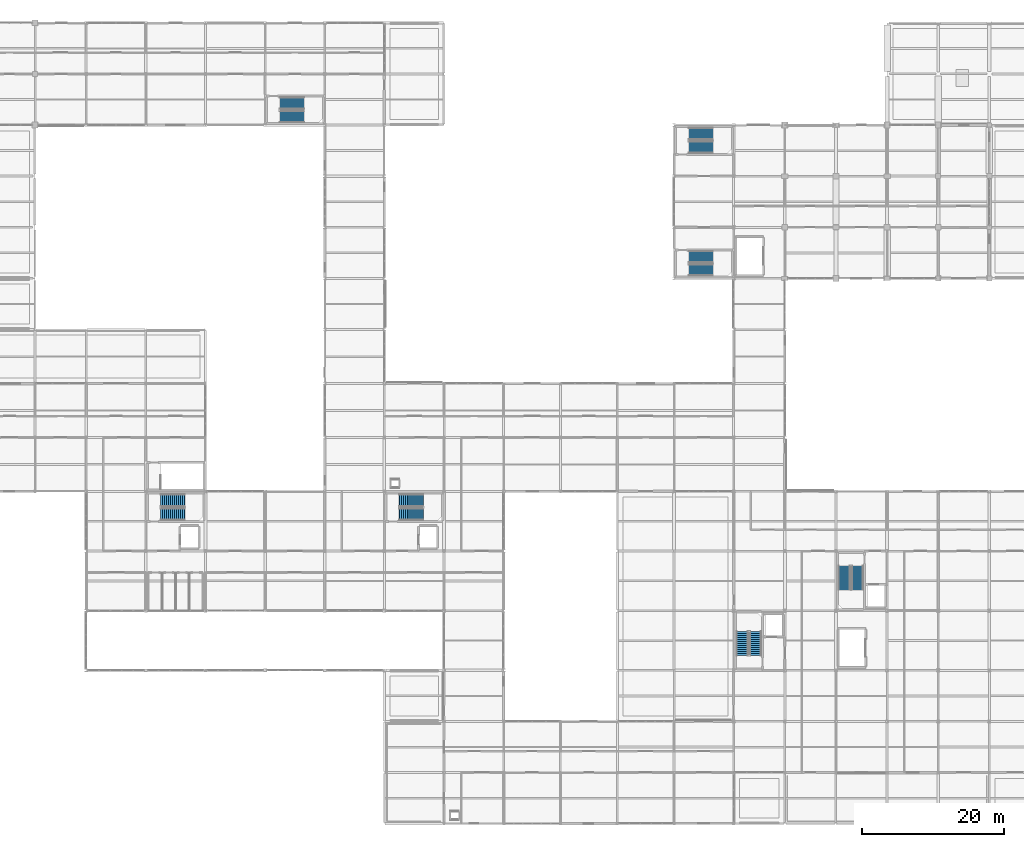
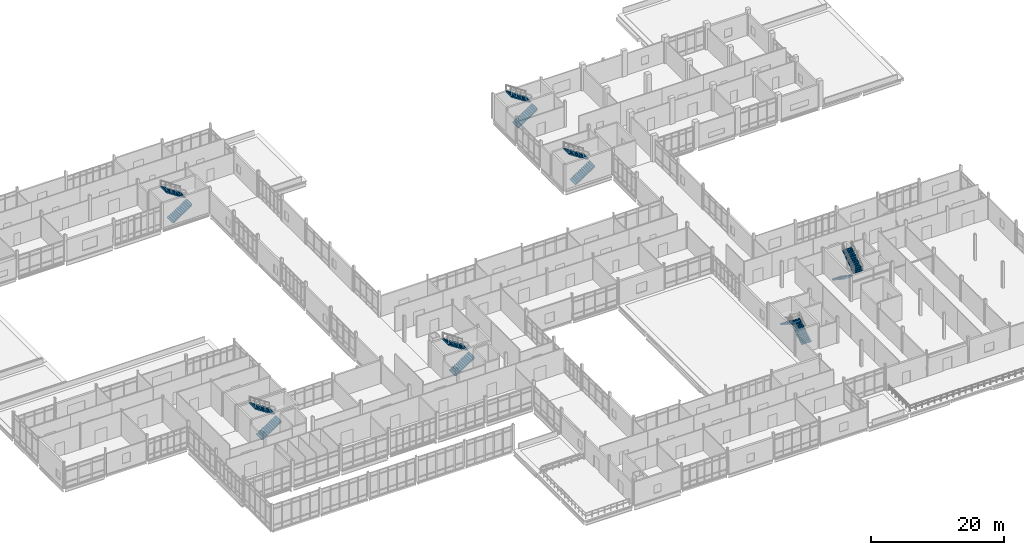
# One storey, part 169 of 186: 14 stair flights, 7 elements without a shape of their own.
"""IFC4 building model written with IfcOpenShell, lengths in metres."""

from ifc_helpers import new_model, si_unit, direction, frame, origin, place, context, subcontext, project, spatial, polyline, outline, extrude, material, type_object, element, aggregate, save


model = new_model("IFC4")

# Units and contexts
model_context = context("Model", 3, precision=1e-05, world=origin(), true_north=direction((0.0, 1.0)))
body_context = subcontext(model_context, "Body", "Model", "MODEL_VIEW")
ifc_project = project(units=[si_unit("LENGTHUNIT", "METRE"), si_unit("AREAUNIT", "SQUARE_METRE"), si_unit("VOLUMEUNIT", "CUBIC_METRE"), si_unit("PLANEANGLEUNIT", "RADIAN"), si_unit("MASSUNIT", "GRAM", prefix="KILO")], contexts=[model_context])

# Site, building, storey
site_placement = place(None, origin())
site = spatial("IfcSite", under=ifc_project, at=site_placement, CompositionType="ELEMENT")
building_placement = place(site_placement, origin())
building = spatial("IfcBuilding", under=site, at=building_placement, Name="Calvrana Isthmian Art Gallery", CompositionType="ELEMENT")
storey_placement = place(building_placement, frame((0.0, 0.0, 5.39990234375)))
storey = spatial("IfcBuildingStorey", under=building, at=storey_placement, Name="L01", CompositionType="ELEMENT", Elevation=5.39990234375)

# Stair, stair flights
ifc_material = material(Name="Concrete C40/50", Category="concrete")
stair_type_1 = type_object("IfcStairType", Name="STR-HT-480", PredefinedType="HALF_TURN_STAIR", material=ifc_material)
stair_1_placement = place(storey_placement, origin())
stair_1 = element("IfcStair", 1, at=stair_1_placement, inside=storey, type_object=stair_type_1, Name="Protected exit stair ST-3 (L01)", PredefinedType="HALF_TURN_STAIR")
stair_flight_type_1 = type_object("IfcStairFlightType", Name="STF-1660", PredefinedType="STRAIGHT", material=ifc_material)
stair_flight_1_placement = place(storey_placement, frame((115.860107421875, 23.699951171875, 0.0), z_axis=(0.0, 0.0, 1.0), x_axis=(0.0, 1.0, 0.0)))
stair_flight_1 = element("IfcStairFlight", 2, at=stair_flight_1_placement, type_object=stair_flight_type_1, Name="ST-3 flight 1", NumberOfRisers=13, NumberOfTreads=12, PredefinedType="STRAIGHT", RiserHeight=0.184615385, TreadLength=0.28, context=body_context, shape_type="SweptSolid", body=[
    extrude(outline(polyline([(-0.02490234375, 0.0), (-0.02490234375, 0.06005859375), (0.0, 0.06005859375), (0.0, 0.1845703125), (0.280029296875, 0.1845703125), (0.280029296875, 0.369140625), (0.56005859375, 0.369140625), (0.56005859375, 0.553955078125), (0.840087890625, 0.553955078125), (0.840087890625, 0.738525390625), (1.1201171875, 0.738525390625), (1.1201171875, 0.923095703125), (1.39990234375, 0.923095703125), (1.39990234375, 1.107666015625), (1.679931640625, 1.107666015625), (1.679931640625, 1.292236328125), (1.9599609375, 1.292236328125), (1.9599609375, 1.476806640625), (2.239990234375, 1.476806640625), (2.239990234375, 1.66162109375), (2.52001953125, 1.66162109375), (2.52001953125, 1.84619140625), (2.800048828125, 1.84619140625), (2.800048828125, 2.03076171875), (3.080078125, 2.03076171875), (3.080078125, 2.21533203125), (3.360107421875, 2.21533203125), (3.360107421875, 2.39990234375), (3.385009765625, 2.39990234375), (3.385009765625, 2.035888671875), (3.360107421875, 2.035888671875), (0.272216796875, 0.0), (-0.02490234375, 0.0)])), frame((0.0, 0.830078125, 0.0), z_axis=(0.0, -1.0, 0.0), x_axis=(1.0, 0.0, 0.0)), (0.0, 0.0, 1.0), 1.659912109375),
])
stair_flight_2_placement = place(storey_placement, frame((114.0, 27.06005859375, 2.400146484375), z_axis=(0.0, 0.0, 1.0), x_axis=(0.0, -1.0, 0.0)))
stair_flight_2 = element("IfcStairFlight", 3, at=stair_flight_2_placement, type_object=stair_flight_type_1, Name="ST-3 flight 2", NumberOfRisers=13, NumberOfTreads=12, PredefinedType="STRAIGHT", RiserHeight=0.184615385, TreadLength=0.28, context=body_context, shape_type="SweptSolid", body=[
    extrude(outline(polyline([(-0.02490234375, 0.0), (-0.02490234375, 0.06005859375), (0.0, 0.06005859375), (0.0, 0.1845703125), (0.280029296875, 0.1845703125), (0.280029296875, 0.369140625), (0.56005859375, 0.369140625), (0.56005859375, 0.553955078125), (0.840087890625, 0.553955078125), (0.840087890625, 0.738525390625), (1.1201171875, 0.738525390625), (1.1201171875, 0.923095703125), (1.39990234375, 0.923095703125), (1.39990234375, 1.107666015625), (1.679931640625, 1.107666015625), (1.679931640625, 1.292236328125), (1.9599609375, 1.292236328125), (1.9599609375, 1.476806640625), (2.239990234375, 1.476806640625), (2.239990234375, 1.66162109375), (2.52001953125, 1.66162109375), (2.52001953125, 1.84619140625), (2.800048828125, 1.84619140625), (2.800048828125, 2.03076171875), (3.080078125, 2.03076171875), (3.080078125, 2.21533203125), (3.360107421875, 2.21533203125), (3.360107421875, 2.39990234375), (3.385009765625, 2.39990234375), (3.385009765625, 2.035888671875), (3.360107421875, 2.035888671875), (0.272216796875, 0.0), (-0.02490234375, 0.0)])), frame((0.0, 0.830078125, 0.0), z_axis=(0.0, -1.0, 0.0), x_axis=(1.0, 0.0, 0.0)), (0.0, 0.0, 1.0), 1.659912109375),
])
aggregate(stair_1, [stair_flight_1, stair_flight_2])

stair_2_placement = place(storey_placement, origin())
stair_2 = element("IfcStair", 4, at=stair_2_placement, inside=storey, type_object=stair_type_1, Name="Protected exit stair ST-4 (L01)", PredefinedType="HALF_TURN_STAIR")
stair_flight_3_placement = place(storey_placement, frame((128.3798828125, 36.300048828125, 0.0), z_axis=(0.0, 0.0, 1.0), x_axis=(0.0, -1.0, 0.0)))
stair_flight_3 = element("IfcStairFlight", 5, at=stair_flight_3_placement, type_object=stair_flight_type_1, Name="ST-4 flight 1", NumberOfRisers=13, NumberOfTreads=12, PredefinedType="STRAIGHT", RiserHeight=0.184615385, TreadLength=0.28, context=body_context, shape_type="SweptSolid", body=[
    extrude(outline(polyline([(-0.02490234375, 0.0), (-0.02490234375, 0.06005859375), (0.0, 0.06005859375), (0.0, 0.1845703125), (0.280029296875, 0.1845703125), (0.280029296875, 0.369140625), (0.56005859375, 0.369140625), (0.56005859375, 0.553955078125), (0.840087890625, 0.553955078125), (0.840087890625, 0.738525390625), (1.1201171875, 0.738525390625), (1.1201171875, 0.923095703125), (1.39990234375, 0.923095703125), (1.39990234375, 1.107666015625), (1.679931640625, 1.107666015625), (1.679931640625, 1.292236328125), (1.9599609375, 1.292236328125), (1.9599609375, 1.476806640625), (2.239990234375, 1.476806640625), (2.239990234375, 1.66162109375), (2.52001953125, 1.66162109375), (2.52001953125, 1.84619140625), (2.800048828125, 1.84619140625), (2.800048828125, 2.03076171875), (3.080078125, 2.03076171875), (3.080078125, 2.21533203125), (3.360107421875, 2.21533203125), (3.360107421875, 2.39990234375), (3.385009765625, 2.39990234375), (3.385009765625, 2.035888671875), (3.360107421875, 2.035888671875), (0.272216796875, 0.0), (-0.02490234375, 0.0)])), frame((0.0, 0.830078125, 0.0), z_axis=(0.0, -1.0, 0.0), x_axis=(1.0, 0.0, 0.0)), (0.0, 0.0, 1.0), 1.659912109375),
])
stair_flight_4_placement = place(storey_placement, frame((130.239990234375, 32.93994140625, 2.400146484375), z_axis=(0.0, 0.0, 1.0), x_axis=(0.0, 1.0, 0.0)))
stair_flight_4 = element("IfcStairFlight", 6, at=stair_flight_4_placement, type_object=stair_flight_type_1, Name="ST-4 flight 2", NumberOfRisers=13, NumberOfTreads=12, PredefinedType="STRAIGHT", RiserHeight=0.184615385, TreadLength=0.28, context=body_context, shape_type="SweptSolid", body=[
    extrude(outline(polyline([(-0.02490234375, 0.0), (-0.02490234375, 0.06005859375), (0.0, 0.06005859375), (0.0, 0.1845703125), (0.280029296875, 0.1845703125), (0.280029296875, 0.369140625), (0.56005859375, 0.369140625), (0.56005859375, 0.553955078125), (0.840087890625, 0.553955078125), (0.840087890625, 0.738525390625), (1.1201171875, 0.738525390625), (1.1201171875, 0.923095703125), (1.39990234375, 0.923095703125), (1.39990234375, 1.107666015625), (1.679931640625, 1.107666015625), (1.679931640625, 1.292236328125), (1.9599609375, 1.292236328125), (1.9599609375, 1.476806640625), (2.239990234375, 1.476806640625), (2.239990234375, 1.66162109375), (2.52001953125, 1.66162109375), (2.52001953125, 1.84619140625), (2.800048828125, 1.84619140625), (2.800048828125, 2.03076171875), (3.080078125, 2.03076171875), (3.080078125, 2.21533203125), (3.360107421875, 2.21533203125), (3.360107421875, 2.39990234375), (3.385009765625, 2.39990234375), (3.385009765625, 2.035888671875), (3.360107421875, 2.035888671875), (0.272216796875, 0.0), (-0.02490234375, 0.0)])), frame((0.0, 0.830078125, 0.0), z_axis=(0.0, -1.0, 0.0), x_axis=(1.0, 0.0, 0.0)), (0.0, 0.0, 1.0), 1.659912109375),
])
aggregate(stair_2, [stair_flight_3, stair_flight_4])

stair_3_placement = place(storey_placement, origin())
stair_3 = element("IfcStair", 7, at=stair_3_placement, inside=storey, type_object=stair_type_1, Name="Protected exit stair ST-5 (L01)", PredefinedType="HALF_TURN_STAIR")
stair_flight_5_placement = place(storey_placement, frame((106.5, 77.97998046875, 0.0), z_axis=(0.0, 0.0, 1.0), x_axis=(1.0, 0.0, 0.0)))
stair_flight_5 = element("IfcStairFlight", 8, at=stair_flight_5_placement, type_object=stair_flight_type_1, Name="ST-5 flight 1", NumberOfRisers=13, NumberOfTreads=12, PredefinedType="STRAIGHT", RiserHeight=0.184615385, TreadLength=0.28, context=body_context, shape_type="SweptSolid", body=[
    extrude(outline(polyline([(-0.02490234375, 0.0), (-0.02490234375, 0.06005859375), (0.0, 0.06005859375), (0.0, 0.1845703125), (0.280029296875, 0.1845703125), (0.280029296875, 0.369140625), (0.56005859375, 0.369140625), (0.56005859375, 0.553955078125), (0.840087890625, 0.553955078125), (0.840087890625, 0.738525390625), (1.1201171875, 0.738525390625), (1.1201171875, 0.923095703125), (1.39990234375, 0.923095703125), (1.39990234375, 1.107666015625), (1.679931640625, 1.107666015625), (1.679931640625, 1.292236328125), (1.9599609375, 1.292236328125), (1.9599609375, 1.476806640625), (2.239990234375, 1.476806640625), (2.239990234375, 1.66162109375), (2.52001953125, 1.66162109375), (2.52001953125, 1.84619140625), (2.800048828125, 1.84619140625), (2.800048828125, 2.03076171875), (3.080078125, 2.03076171875), (3.080078125, 2.21533203125), (3.360107421875, 2.21533203125), (3.360107421875, 2.39990234375), (3.385009765625, 2.39990234375), (3.385009765625, 2.035888671875), (3.360107421875, 2.035888671875), (0.272216796875, 0.0), (-0.02490234375, 0.0)])), frame((0.0, 0.830078125, 0.0), z_axis=(0.0, -1.0, 0.0), x_axis=(1.0, 0.0, 0.0)), (0.0, 0.0, 1.0), 1.659912109375),
])
stair_flight_6_placement = place(storey_placement, frame((109.860107421875, 79.840087890625, 2.400146484375), z_axis=(0.0, 0.0, 1.0), x_axis=(-1.0, 0.0, 0.0)))
stair_flight_6 = element("IfcStairFlight", 9, at=stair_flight_6_placement, type_object=stair_flight_type_1, Name="ST-5 flight 2", NumberOfRisers=13, NumberOfTreads=12, PredefinedType="STRAIGHT", RiserHeight=0.184615385, TreadLength=0.28, context=body_context, shape_type="SweptSolid", body=[
    extrude(outline(polyline([(-0.02490234375, 0.0), (-0.02490234375, 0.06005859375), (0.0, 0.06005859375), (0.0, 0.1845703125), (0.280029296875, 0.1845703125), (0.280029296875, 0.369140625), (0.56005859375, 0.369140625), (0.56005859375, 0.553955078125), (0.840087890625, 0.553955078125), (0.840087890625, 0.738525390625), (1.1201171875, 0.738525390625), (1.1201171875, 0.923095703125), (1.39990234375, 0.923095703125), (1.39990234375, 1.107666015625), (1.679931640625, 1.107666015625), (1.679931640625, 1.292236328125), (1.9599609375, 1.292236328125), (1.9599609375, 1.476806640625), (2.239990234375, 1.476806640625), (2.239990234375, 1.66162109375), (2.52001953125, 1.66162109375), (2.52001953125, 1.84619140625), (2.800048828125, 1.84619140625), (2.800048828125, 2.03076171875), (3.080078125, 2.03076171875), (3.080078125, 2.21533203125), (3.360107421875, 2.21533203125), (3.360107421875, 2.39990234375), (3.385009765625, 2.39990234375), (3.385009765625, 2.035888671875), (3.360107421875, 2.035888671875), (0.272216796875, 0.0), (-0.02490234375, 0.0)])), frame((0.0, 0.830078125, 0.0), z_axis=(0.0, -1.0, 0.0), x_axis=(1.0, 0.0, 0.0)), (0.0, 0.0, 1.0), 1.659912109375),
])
aggregate(stair_3, [stair_flight_5, stair_flight_6])

stair_type_2 = type_object("IfcStairType", Name="STR-TSR-480", PredefinedType="TWO_STRAIGHT_RUN_STAIR", material=ifc_material)
stair_4_placement = place(storey_placement, origin())
stair_4 = element("IfcStair", 10, at=stair_4_placement, inside=storey, type_object=stair_type_2, Name="Protected exit stair ST-6 (L01)", PredefinedType="TWO_STRAIGHT_RUN_STAIR")
stair_flight_type_2 = type_object("IfcStairFlightType", Name="STF-1700", PredefinedType="STRAIGHT", material=ifc_material)
stair_flight_7_placement = place(storey_placement, frame((48.89990234375, 99.60009765625, 0.0), z_axis=(0.0, 0.0, 1.0), x_axis=(1.0, 0.0, 0.0)))
stair_flight_7 = element("IfcStairFlight", 11, at=stair_flight_7_placement, type_object=stair_flight_type_2, Name="ST-6 flight 1", NumberOfRisers=13, NumberOfTreads=12, PredefinedType="STRAIGHT", RiserHeight=0.184615385, TreadLength=0.28, context=body_context, shape_type="SweptSolid", body=[
    extrude(outline(polyline([(-0.02490234375, 0.0), (-0.02490234375, 0.06005859375), (0.0, 0.06005859375), (0.0, 0.1845703125), (0.280029296875, 0.1845703125), (0.280029296875, 0.369140625), (0.56005859375, 0.369140625), (0.56005859375, 0.553955078125), (0.840087890625, 0.553955078125), (0.840087890625, 0.738525390625), (1.1201171875, 0.738525390625), (1.1201171875, 0.923095703125), (1.39990234375, 0.923095703125), (1.39990234375, 1.107666015625), (1.679931640625, 1.107666015625), (1.679931640625, 1.292236328125), (1.9599609375, 1.292236328125), (1.9599609375, 1.476806640625), (2.239990234375, 1.476806640625), (2.239990234375, 1.66162109375), (2.52001953125, 1.66162109375), (2.52001953125, 1.84619140625), (2.800048828125, 1.84619140625), (2.800048828125, 2.03076171875), (3.080078125, 2.03076171875), (3.080078125, 2.21533203125), (3.360107421875, 2.21533203125), (3.360107421875, 2.39990234375), (3.385009765625, 2.39990234375), (3.385009765625, 2.035888671875), (3.360107421875, 2.035888671875), (0.272216796875, 0.0), (-0.02490234375, 0.0)])), frame((0.0, 0.85009765625, 0.0), z_axis=(0.0, -1.0, 0.0), x_axis=(1.0, 0.0, 0.0)), (0.0, 0.0, 1.0), 1.699951171875),
])
stair_flight_8_placement = place(storey_placement, frame((52.260009765625, 101.5, 2.400146484375), z_axis=(0.0, 0.0, 1.0), x_axis=(-1.0, 0.0, 0.0)))
stair_flight_8 = element("IfcStairFlight", 12, at=stair_flight_8_placement, type_object=stair_flight_type_2, Name="ST-6 flight 2", NumberOfRisers=13, NumberOfTreads=12, PredefinedType="STRAIGHT", RiserHeight=0.184615385, TreadLength=0.28, context=body_context, shape_type="SweptSolid", body=[
    extrude(outline(polyline([(-0.02490234375, 0.0), (-0.02490234375, 0.06005859375), (0.0, 0.06005859375), (0.0, 0.1845703125), (0.280029296875, 0.1845703125), (0.280029296875, 0.369140625), (0.56005859375, 0.369140625), (0.56005859375, 0.553955078125), (0.840087890625, 0.553955078125), (0.840087890625, 0.738525390625), (1.1201171875, 0.738525390625), (1.1201171875, 0.923095703125), (1.39990234375, 0.923095703125), (1.39990234375, 1.107666015625), (1.679931640625, 1.107666015625), (1.679931640625, 1.292236328125), (1.9599609375, 1.292236328125), (1.9599609375, 1.476806640625), (2.239990234375, 1.476806640625), (2.239990234375, 1.66162109375), (2.52001953125, 1.66162109375), (2.52001953125, 1.84619140625), (2.800048828125, 1.84619140625), (2.800048828125, 2.03076171875), (3.080078125, 2.03076171875), (3.080078125, 2.21533203125), (3.360107421875, 2.21533203125), (3.360107421875, 2.39990234375), (3.385009765625, 2.39990234375), (3.385009765625, 2.035888671875), (3.360107421875, 2.035888671875), (0.272216796875, 0.0), (-0.02490234375, 0.0)])), frame((0.0, 0.85009765625, 0.0), z_axis=(0.0, -1.0, 0.0), x_axis=(1.0, 0.0, 0.0)), (0.0, 0.0, 1.0), 1.699951171875),
])
aggregate(stair_4, [stair_flight_7, stair_flight_8])

stair_5_placement = place(storey_placement, origin())
stair_5 = element("IfcStair", 13, at=stair_5_placement, inside=storey, type_object=stair_type_2, Name="Protected exit stair ST-8 (L01)", PredefinedType="TWO_STRAIGHT_RUN_STAIR")
stair_flight_9_placement = place(storey_placement, frame((106.5, 95.280029296875, 0.0), z_axis=(0.0, 0.0, 1.0), x_axis=(1.0, 0.0, 0.0)))
stair_flight_9 = element("IfcStairFlight", 14, at=stair_flight_9_placement, type_object=stair_flight_type_2, Name="ST-8 flight 1", NumberOfRisers=13, NumberOfTreads=12, PredefinedType="STRAIGHT", RiserHeight=0.184615385, TreadLength=0.28, context=body_context, shape_type="SweptSolid", body=[
    extrude(outline(polyline([(-0.02490234375, 0.0), (-0.02490234375, 0.06005859375), (0.0, 0.06005859375), (0.0, 0.1845703125), (0.280029296875, 0.1845703125), (0.280029296875, 0.369140625), (0.56005859375, 0.369140625), (0.56005859375, 0.553955078125), (0.840087890625, 0.553955078125), (0.840087890625, 0.738525390625), (1.1201171875, 0.738525390625), (1.1201171875, 0.923095703125), (1.39990234375, 0.923095703125), (1.39990234375, 1.107666015625), (1.679931640625, 1.107666015625), (1.679931640625, 1.292236328125), (1.9599609375, 1.292236328125), (1.9599609375, 1.476806640625), (2.239990234375, 1.476806640625), (2.239990234375, 1.66162109375), (2.52001953125, 1.66162109375), (2.52001953125, 1.84619140625), (2.800048828125, 1.84619140625), (2.800048828125, 2.03076171875), (3.080078125, 2.03076171875), (3.080078125, 2.21533203125), (3.360107421875, 2.21533203125), (3.360107421875, 2.39990234375), (3.385009765625, 2.39990234375), (3.385009765625, 2.035888671875), (3.360107421875, 2.035888671875), (0.272216796875, 0.0), (-0.02490234375, 0.0)])), frame((0.0, 0.85009765625, 0.0), z_axis=(0.0, -1.0, 0.0), x_axis=(1.0, 0.0, 0.0)), (0.0, 0.0, 1.0), 1.699951171875),
])
stair_flight_10_placement = place(storey_placement, frame((109.860107421875, 97.179931640625, 2.400146484375), z_axis=(0.0, 0.0, 1.0), x_axis=(-1.0, 0.0, 0.0)))
stair_flight_10 = element("IfcStairFlight", 15, at=stair_flight_10_placement, type_object=stair_flight_type_2, Name="ST-8 flight 2", NumberOfRisers=13, NumberOfTreads=12, PredefinedType="STRAIGHT", RiserHeight=0.184615385, TreadLength=0.28, context=body_context, shape_type="SweptSolid", body=[
    extrude(outline(polyline([(-0.02490234375, 0.0), (-0.02490234375, 0.06005859375), (0.0, 0.06005859375), (0.0, 0.1845703125), (0.280029296875, 0.1845703125), (0.280029296875, 0.369140625), (0.56005859375, 0.369140625), (0.56005859375, 0.553955078125), (0.840087890625, 0.553955078125), (0.840087890625, 0.738525390625), (1.1201171875, 0.738525390625), (1.1201171875, 0.923095703125), (1.39990234375, 0.923095703125), (1.39990234375, 1.107666015625), (1.679931640625, 1.107666015625), (1.679931640625, 1.292236328125), (1.9599609375, 1.292236328125), (1.9599609375, 1.476806640625), (2.239990234375, 1.476806640625), (2.239990234375, 1.66162109375), (2.52001953125, 1.66162109375), (2.52001953125, 1.84619140625), (2.800048828125, 1.84619140625), (2.800048828125, 2.03076171875), (3.080078125, 2.03076171875), (3.080078125, 2.21533203125), (3.360107421875, 2.21533203125), (3.360107421875, 2.39990234375), (3.385009765625, 2.39990234375), (3.385009765625, 2.035888671875), (3.360107421875, 2.035888671875), (0.272216796875, 0.0), (-0.02490234375, 0.0)])), frame((0.0, 0.85009765625, 0.0), z_axis=(0.0, -1.0, 0.0), x_axis=(1.0, 0.0, 0.0)), (0.0, 0.0, 1.0), 1.699951171875),
])
aggregate(stair_5, [stair_flight_9, stair_flight_10])

stair_type_3 = type_object("IfcStairType", Name="STR-HT-480W", PredefinedType="HALF_TURN_STAIR", material=ifc_material)
stair_6_placement = place(storey_placement, origin())
stair_6 = element("IfcStair", 16, at=stair_6_placement, inside=storey, type_object=stair_type_3, Name="Protected exit stair ST-1 (L01)", PredefinedType="HALF_TURN_STAIR")
stair_flight_type_3 = type_object("IfcStairFlightType", Name="STF-1760", PredefinedType="STRAIGHT", material=ifc_material)
stair_flight_11_placement = place(storey_placement, frame((32.10009765625, 43.590087890625, 0.0), z_axis=(0.0, 0.0, 1.0), x_axis=(1.0, 0.0, 0.0)))
stair_flight_11 = element("IfcStairFlight", 17, at=stair_flight_11_placement, type_object=stair_flight_type_3, Name="ST-1 flight 1", NumberOfRisers=13, NumberOfTreads=12, PredefinedType="STRAIGHT", RiserHeight=0.184615385, TreadLength=0.28, context=body_context, shape_type="SweptSolid", body=[
    extrude(outline(polyline([(-0.02490234375, 0.0), (-0.02490234375, 0.06005859375), (0.0, 0.06005859375), (0.0, 0.1845703125), (0.280029296875, 0.1845703125), (0.280029296875, 0.369140625), (0.56005859375, 0.369140625), (0.56005859375, 0.553955078125), (0.840087890625, 0.553955078125), (0.840087890625, 0.738525390625), (1.1201171875, 0.738525390625), (1.1201171875, 0.923095703125), (1.39990234375, 0.923095703125), (1.39990234375, 1.107666015625), (1.679931640625, 1.107666015625), (1.679931640625, 1.292236328125), (1.9599609375, 1.292236328125), (1.9599609375, 1.476806640625), (2.239990234375, 1.476806640625), (2.239990234375, 1.66162109375), (2.52001953125, 1.66162109375), (2.52001953125, 1.84619140625), (2.800048828125, 1.84619140625), (2.800048828125, 2.03076171875), (3.080078125, 2.03076171875), (3.080078125, 2.21533203125), (3.360107421875, 2.21533203125), (3.360107421875, 2.39990234375), (3.385009765625, 2.39990234375), (3.385009765625, 2.035888671875), (3.360107421875, 2.035888671875), (0.272216796875, 0.0), (-0.02490234375, 0.0)])), frame((0.0, 0.8798828125, 0.0), z_axis=(0.0, -1.0, 0.0), x_axis=(1.0, 0.0, 0.0)), (0.0, 0.0, 1.0), 1.760009765625),
])
stair_flight_12_placement = place(storey_placement, frame((35.4599609375, 45.550048828125, 2.400146484375), z_axis=(0.0, 0.0, 1.0), x_axis=(-1.0, 0.0, 0.0)))
stair_flight_12 = element("IfcStairFlight", 18, at=stair_flight_12_placement, type_object=stair_flight_type_3, Name="ST-1 flight 2", NumberOfRisers=13, NumberOfTreads=12, PredefinedType="STRAIGHT", RiserHeight=0.184615385, TreadLength=0.28, context=body_context, shape_type="SweptSolid", body=[
    extrude(outline(polyline([(-0.02490234375, 0.0), (-0.02490234375, 0.06005859375), (0.0, 0.06005859375), (0.0, 0.1845703125), (0.280029296875, 0.1845703125), (0.280029296875, 0.369140625), (0.56005859375, 0.369140625), (0.56005859375, 0.553955078125), (0.840087890625, 0.553955078125), (0.840087890625, 0.738525390625), (1.1201171875, 0.738525390625), (1.1201171875, 0.923095703125), (1.39990234375, 0.923095703125), (1.39990234375, 1.107666015625), (1.679931640625, 1.107666015625), (1.679931640625, 1.292236328125), (1.9599609375, 1.292236328125), (1.9599609375, 1.476806640625), (2.239990234375, 1.476806640625), (2.239990234375, 1.66162109375), (2.52001953125, 1.66162109375), (2.52001953125, 1.84619140625), (2.800048828125, 1.84619140625), (2.800048828125, 2.03076171875), (3.080078125, 2.03076171875), (3.080078125, 2.21533203125), (3.360107421875, 2.21533203125), (3.360107421875, 2.39990234375), (3.385009765625, 2.39990234375), (3.385009765625, 2.035888671875), (3.360107421875, 2.035888671875), (0.272216796875, 0.0), (-0.02490234375, 0.0)])), frame((0.0, 0.8798828125, 0.0), z_axis=(0.0, -1.0, 0.0), x_axis=(1.0, 0.0, 0.0)), (0.0, 0.0, 1.0), 1.760009765625),
])
aggregate(stair_6, [stair_flight_11, stair_flight_12])

stair_7_placement = place(storey_placement, origin())
stair_7 = element("IfcStair", 19, at=stair_7_placement, inside=storey, type_object=stair_type_3, Name="Protected exit stair ST-2 (L01)", PredefinedType="HALF_TURN_STAIR")
stair_flight_13_placement = place(storey_placement, frame((65.699951171875, 43.590087890625, 0.0), z_axis=(0.0, 0.0, 1.0), x_axis=(1.0, 0.0, 0.0)))
stair_flight_13 = element("IfcStairFlight", 20, at=stair_flight_13_placement, type_object=stair_flight_type_3, Name="ST-2 flight 1", NumberOfRisers=13, NumberOfTreads=12, PredefinedType="STRAIGHT", RiserHeight=0.184615385, TreadLength=0.28, context=body_context, shape_type="SweptSolid", body=[
    extrude(outline(polyline([(-0.02490234375, 0.0), (-0.02490234375, 0.06005859375), (0.0, 0.06005859375), (0.0, 0.1845703125), (0.280029296875, 0.1845703125), (0.280029296875, 0.369140625), (0.56005859375, 0.369140625), (0.56005859375, 0.553955078125), (0.840087890625, 0.553955078125), (0.840087890625, 0.738525390625), (1.1201171875, 0.738525390625), (1.1201171875, 0.923095703125), (1.39990234375, 0.923095703125), (1.39990234375, 1.107666015625), (1.679931640625, 1.107666015625), (1.679931640625, 1.292236328125), (1.9599609375, 1.292236328125), (1.9599609375, 1.476806640625), (2.239990234375, 1.476806640625), (2.239990234375, 1.66162109375), (2.52001953125, 1.66162109375), (2.52001953125, 1.84619140625), (2.800048828125, 1.84619140625), (2.800048828125, 2.03076171875), (3.080078125, 2.03076171875), (3.080078125, 2.21533203125), (3.360107421875, 2.21533203125), (3.360107421875, 2.39990234375), (3.385009765625, 2.39990234375), (3.385009765625, 2.035888671875), (3.360107421875, 2.035888671875), (0.272216796875, 0.0), (-0.02490234375, 0.0)])), frame((0.0, 0.8798828125, 0.0), z_axis=(0.0, -1.0, 0.0), x_axis=(1.0, 0.0, 0.0)), (0.0, 0.0, 1.0), 1.760009765625),
])
stair_flight_14_placement = place(storey_placement, frame((69.06005859375, 45.550048828125, 2.400146484375), z_axis=(0.0, 0.0, 1.0), x_axis=(-1.0, 0.0, 0.0)))
stair_flight_14 = element("IfcStairFlight", 21, at=stair_flight_14_placement, type_object=stair_flight_type_3, Name="ST-2 flight 2", NumberOfRisers=13, NumberOfTreads=12, PredefinedType="STRAIGHT", RiserHeight=0.184615385, TreadLength=0.28, context=body_context, shape_type="SweptSolid", body=[
    extrude(outline(polyline([(-0.02490234375, 0.0), (-0.02490234375, 0.06005859375), (0.0, 0.06005859375), (0.0, 0.1845703125), (0.280029296875, 0.1845703125), (0.280029296875, 0.369140625), (0.56005859375, 0.369140625), (0.56005859375, 0.553955078125), (0.840087890625, 0.553955078125), (0.840087890625, 0.738525390625), (1.1201171875, 0.738525390625), (1.1201171875, 0.923095703125), (1.39990234375, 0.923095703125), (1.39990234375, 1.107666015625), (1.679931640625, 1.107666015625), (1.679931640625, 1.292236328125), (1.9599609375, 1.292236328125), (1.9599609375, 1.476806640625), (2.239990234375, 1.476806640625), (2.239990234375, 1.66162109375), (2.52001953125, 1.66162109375), (2.52001953125, 1.84619140625), (2.800048828125, 1.84619140625), (2.800048828125, 2.03076171875), (3.080078125, 2.03076171875), (3.080078125, 2.21533203125), (3.360107421875, 2.21533203125), (3.360107421875, 2.39990234375), (3.385009765625, 2.39990234375), (3.385009765625, 2.035888671875), (3.360107421875, 2.035888671875), (0.272216796875, 0.0), (-0.02490234375, 0.0)])), frame((0.0, 0.8798828125, 0.0), z_axis=(0.0, -1.0, 0.0), x_axis=(1.0, 0.0, 0.0)), (0.0, 0.0, 1.0), 1.760009765625),
])
aggregate(stair_7, [stair_flight_13, stair_flight_14])

save(model, "model.ifc")
